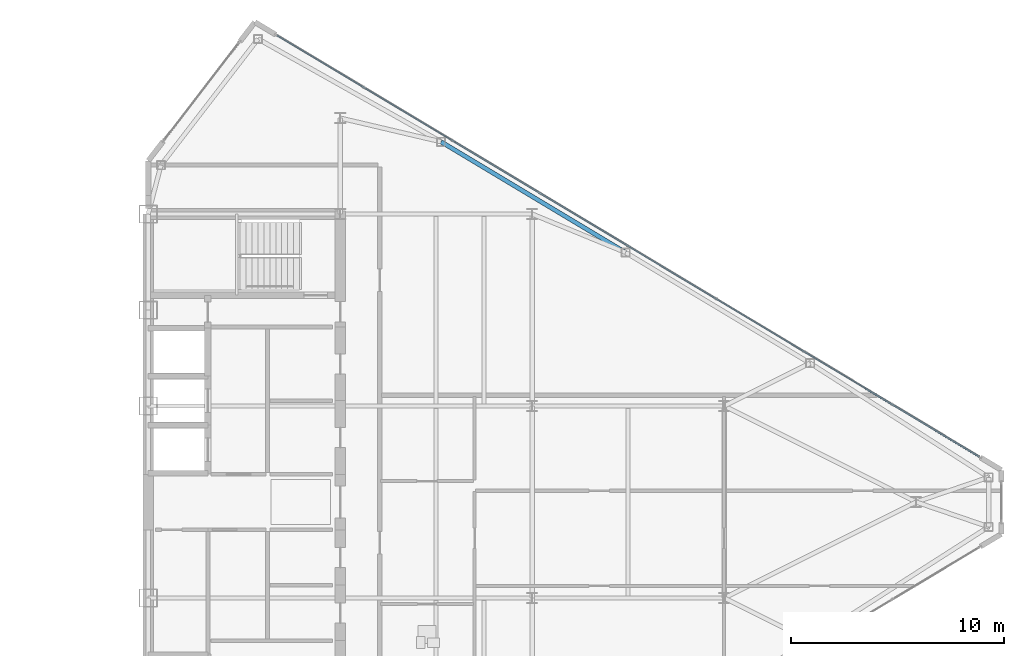
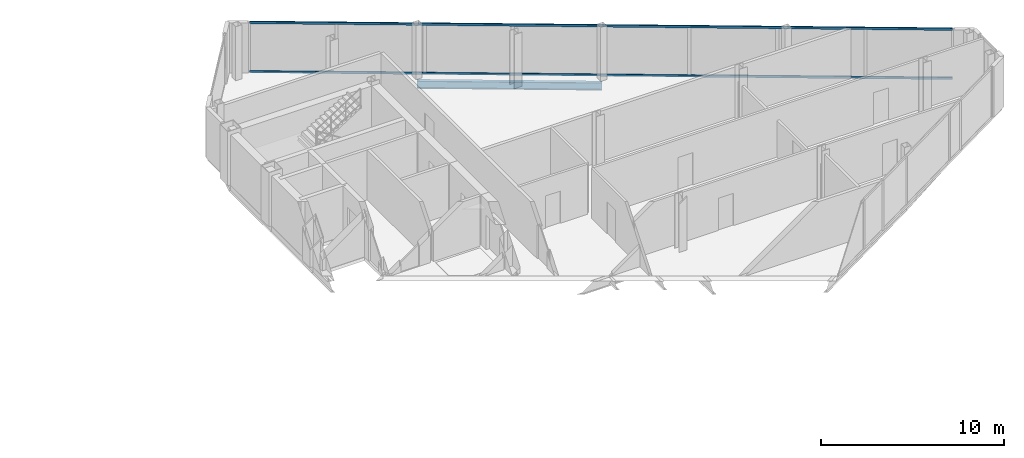
# One storey, part 16 of 26: 2 members, 1 beam, 1 element without a shape of its own.
"""IFC4 building model written with IfcOpenShell, lengths in metres."""

from ifc_helpers import new_model, si_unit, direction, frame, origin, origin_2d, place, context, subcontext, project, spatial, rectangle, i_section, extrude, source, transform, mapped, material, layer, layer_set, material_profile, profile_set, type_object, type_shapes, element, aggregate, save


model = new_model("IFC4")

# Units and contexts
model_context = context("Model", 3, precision=1e-05, world=origin(), true_north=direction((0.0, 1.0)))
body_context = subcontext(model_context, "Body", "Model", "MODEL_VIEW")
ifc_project = project(units=[si_unit("LENGTHUNIT", "METRE"), si_unit("AREAUNIT", "SQUARE_METRE"), si_unit("VOLUMEUNIT", "CUBIC_METRE"), si_unit("PLANEANGLEUNIT", "RADIAN"), si_unit("MASSUNIT", "GRAM", prefix="KILO")], contexts=[model_context])

# Site, building, storey
site_placement = place(None, origin())
site = spatial("IfcSite", under=ifc_project, at=site_placement, CompositionType="ELEMENT")
building_placement = place(site_placement, origin())
building = spatial("IfcBuilding", under=site, at=building_placement, Name="Seokmaru Belvedere", CompositionType="ELEMENT")
storey_placement = place(building_placement, frame((0.0, 0.0, 221.10009765625)))
storey = spatial("IfcBuildingStorey", under=building, at=storey_placement, Name="L59", CompositionType="ELEMENT", Elevation=221.10009765625)

# Beam
ifc_material_1 = material(Name="Steel SM355 (355 MPa)", Category="steel")
ifc_material_profile_1 = material_profile(ifc_material_1, i_section(OverallWidth=0.199951171875, OverallDepth=0.5, WebThickness=0.010009765625, FlangeThickness=0.01611328125, at=origin_2d()), Name="H-500x200x10x16")
ifc_profile_set_1 = profile_set([ifc_material_profile_1], Name="Steel SM355 (355 MPa)")
beam_type = type_object("IfcBeamType", Name="Perimeter Spandrel Beam H-500", PredefinedType="SPANDREL", material=ifc_profile_set_1)
shared_shape_1 = source(origin(), body_context, "Body", "SweptSolid", [
    extrude(i_section(OverallWidth=0.199951171875, OverallDepth=0.5, WebThickness=0.010009765625, FlangeThickness=0.01611328125, at=origin_2d()), origin(), (0.0, 0.0, 1.0), 10.087646484375),
])
type_shapes(beam_type, [shared_shape_1])
beam_placement = place(storey_placement, frame((41.229736328125, 16.888916015625, -0.47021484375), z_axis=(0.857499332045, -0.514485078056, 0.0), x_axis=(0.514485078056, 0.857499332045, 0.0)))
element("IfcBeam", 1, at=beam_placement, inside=storey, type_object=beam_type, Name="L59 E Faceted Flank Spandrel N-2", PredefinedType="SPANDREL", context=body_context, shape_type="MappedRepresentation", body=[
    mapped(shared_shape_1, transform((0.0, 0.0, 0.0), scale=1.0)),
])

# Curtain wall, members
ifc_material_2 = material(Name="Bronze Triple Insulating Glass", Category="glass")
ifc_layer = layer(ifc_material_2, 0.179931640625)
ifc_layer_set = layer_set([ifc_layer], Name="Bronze Triple Insulating Glass")
curtain_wall_type = type_object("IfcCurtainWallType", Name="High-Rise Wind-Corner Curtain Wall System CW-5", PredefinedType="NOTDEFINED", material=ifc_layer_set)
curtain_wall_placement = place(storey_placement, origin())
curtain_wall = element("IfcCurtainWall", 2, at=curtain_wall_placement, inside=storey, type_object=curtain_wall_type, Name="L59 Curtain Wall EF3", PredefinedType="NOTDEFINED")
ifc_material_3 = material(Name="Anodised Bronze Aluminium", Category="aluminium")
ifc_material_profile_2 = material_profile(ifc_material_3, rectangle(XDim=0.06494140625, YDim=0.14990234375, at=origin_2d()), Name="CW-T-65x150")
ifc_profile_set_2 = profile_set([ifc_material_profile_2], Name="Anodised Bronze Aluminium")
member_type = type_object("IfcMemberType", Name="Bronze Unitised Transom 65x150", PredefinedType="USERDEFINED", material=ifc_profile_set_2)
shared_shape_2 = source(origin(), body_context, "Body", "SweptSolid", [
    extrude(rectangle(XDim=0.06494140625, YDim=0.14990234375, at=origin_2d()), origin(), (0.0, 0.0, 1.0), 38.386962890625),
])
type_shapes(member_type, [shared_shape_2])
member_1_placement = place(storey_placement, frame((66.458251953125, 2.125, 0.032470703125), z_axis=(-0.85749180336, 0.514497626011, 0.0), x_axis=(-0.514497626011, -0.85749180336, 0.0)))
member_1 = element("IfcMember", 3, at=member_1_placement, type_object=member_type, Name="CW:L59:EF3 Continuous Transom 1", ObjectType="TRANSOM", PredefinedType="USERDEFINED", context=body_context, shape_type="MappedRepresentation", body=[
    mapped(shared_shape_2, transform((0.0, 0.0, 0.0), scale=1.0)),
])
member_2_placement = place(storey_placement, frame((66.458251953125, 2.125, 3.307373046875), z_axis=(-0.85749180336, 0.514497626011, 0.0), x_axis=(-0.514497626011, -0.85749180336, 0.0)))
member_2 = element("IfcMember", 4, at=member_2_placement, type_object=member_type, Name="CW:L59:EF3 Continuous Transom 2", ObjectType="TRANSOM", PredefinedType="USERDEFINED", context=body_context, shape_type="MappedRepresentation", body=[
    mapped(shared_shape_2, transform((0.0, 0.0, 0.0), scale=1.0)),
])
aggregate(curtain_wall, [member_1, member_2])

save(model, "model.ifc")
